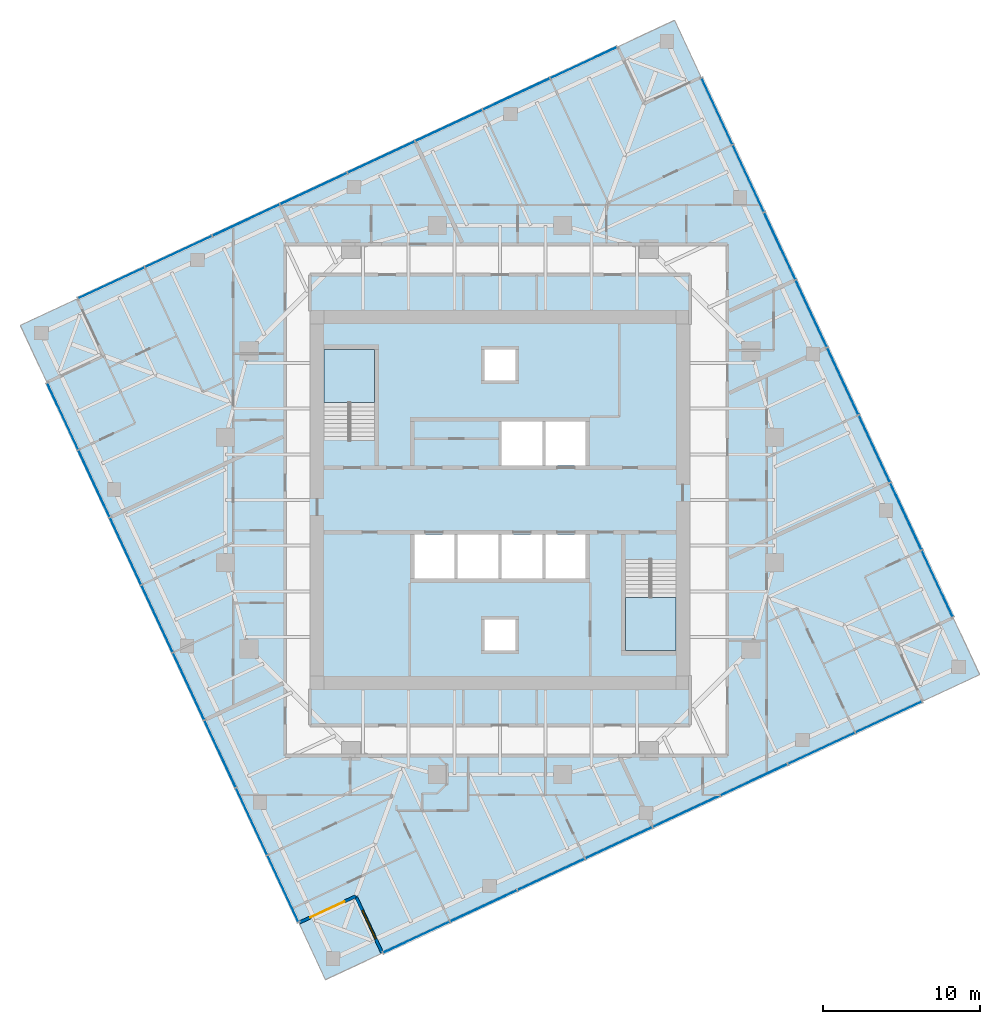
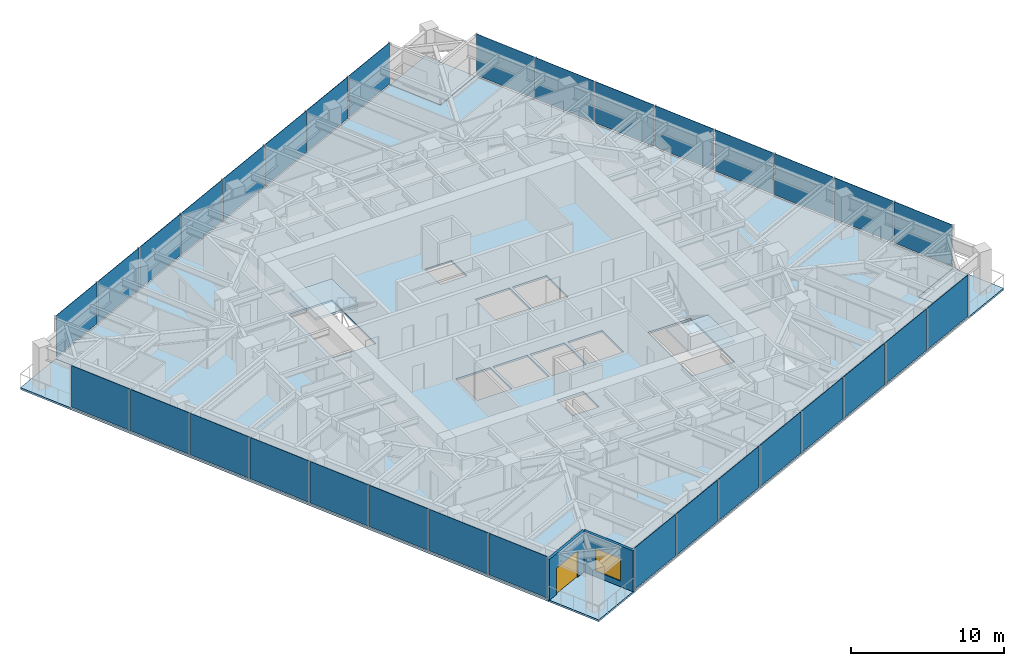
# One storey, part 6 of 13: 32 plates, 7 slabs, 2 walls, 1 door, 1 window, 2 openings, 6 elements without a shape of their own.
"""IFC4 building model written with IfcOpenShell, lengths in metres."""

import ifcopenshell
import ifcopenshell.guid

model = None  # the IFC model being written
_history = None  # IfcOwnerHistory: only IFC2X3 demands one
_inside = {}  # id of a spatial element -> (the spatial element, [elements in it])
_under = {}  # id of a project, library or spatial element -> (it, [spatial elements below it])
_declared = {}  # id of a project -> (the project, [libraries it declares])
_typed = {}  # id of a type object -> (the type object, [elements of that type])
_made_of = {}  # id of a material, layer set ... -> (it, [elements and type objects made of it])


def new_model(schema):
    """Start an empty IFC model of exactly this schema.

    Asked for "IFC4X3", IfcOpenShell would pick the latest addendum, in which some entities
    have other attributes; the version numbers below select the first issue.
    IFC2X3 requires an IfcOwnerHistory on every rooted entity: one is made here for all.
    """
    global model, _history
    if schema == "IFC4X3":
        model = ifcopenshell.file(schema_version=(4, 3, 0, 0))
    else:
        model = ifcopenshell.file(schema=schema)
    _inside.clear()
    _under.clear()
    _declared.clear()
    _typed.clear()
    _made_of.clear()
    _history = None
    if model.schema == "IFC2X3":
        org = make("IfcOrganization", Name="unknown")
        user = make(
            "IfcPersonAndOrganization",
            ThePerson=make("IfcPerson", FamilyName="unknown"),
            TheOrganization=org,
        )
        app = make(
            "IfcApplication",
            ApplicationDeveloper=org,
            Version="unknown",
            ApplicationFullName="unknown",
            ApplicationIdentifier="unknown",
        )
        _history = make(
            "IfcOwnerHistory",
            OwningUser=user,
            OwningApplication=app,
            ChangeAction="ADDED",
            CreationDate=0,
        )
    return model


def make(cls, **values):
    """One entity of the class cls with the attributes given. An attribute that is None is left unset."""
    return model.create_entity(
        cls, **{name: value for name, value in values.items() if value is not None}
    )


def rooted(cls, **values):
    """An entity with a GlobalId (a new one), such as an element, a storey or a relation."""
    return make(cls, GlobalId=ifcopenshell.guid.new(), OwnerHistory=_history, **values)


def si_unit(unit_type, name, prefix=None):
    """IfcSIUnit, for example si_unit("LENGTHUNIT", "METRE", prefix="MILLI")."""
    return make("IfcSIUnit", UnitType=unit_type, Prefix=prefix, Name=name)


def assignment(units):
    """IfcUnitAssignment: the units of a project."""
    return None if units is None else make("IfcUnitAssignment", Units=units)


def point(xyz):
    """IfcCartesianPoint."""
    return None if xyz is None else make("IfcCartesianPoint", Coordinates=xyz)


def direction(xyz):
    """IfcDirection."""
    return None if xyz is None else make("IfcDirection", DirectionRatios=xyz)


def frame(location, z_axis=None, x_axis=None):
    """IfcAxis2Placement3D, a coordinate frame: its origin and axes. An axis left out is left unset."""
    return make(
        "IfcAxis2Placement3D",
        Location=point(location),
        Axis=direction(z_axis),
        RefDirection=direction(x_axis),
    )


def frame_2d(location, x_axis=None):
    """IfcAxis2Placement2D, a coordinate frame in the plane: its origin and x axis."""
    return make(
        "IfcAxis2Placement2D", Location=point(location), RefDirection=direction(x_axis)
    )


def origin():
    """The frame at (0, 0, 0) with its axes left unset."""
    return frame((0.0, 0.0, 0.0))


def origin_2d():
    """The frame at (0, 0) in the plane with its x axis left unset."""
    return frame_2d((0.0, 0.0))


def place(relative_to, where):
    """IfcLocalPlacement: puts the frame where relative to a parent placement (None: the world)."""
    return make(
        "IfcLocalPlacement", PlacementRelTo=relative_to, RelativePlacement=where
    )


def context(
    kind, dimensions, precision=None, world=None, true_north=None, identifier=None
):
    """IfcGeometricRepresentationContext, for example the 3D "Model" context."""
    return make(
        "IfcGeometricRepresentationContext",
        ContextIdentifier=identifier,
        ContextType=kind,
        CoordinateSpaceDimension=dimensions,
        Precision=precision,
        WorldCoordinateSystem=world,
        TrueNorth=true_north,
    )


def subcontext(parent, identifier, kind, view, scale=None):
    """IfcGeometricRepresentationSubContext, for example "Body" below "Model"."""
    return make(
        "IfcGeometricRepresentationSubContext",
        ContextIdentifier=identifier,
        ContextType=kind,
        ParentContext=parent,
        TargetScale=scale,
        TargetView=view,
    )


def project(units=None, contexts=None):
    """IfcProject with its units and contexts."""
    return rooted(
        "IfcProject",
        Name="project",
        RepresentationContexts=contexts,
        UnitsInContext=assignment(units),
    )


def spatial(cls, under=None, at=None, **own):
    """A site, building, storey or space (cls), placed at a placement, below another one or the project."""
    s = rooted(cls, ObjectPlacement=at, **own)
    if under is not None:
        _under.setdefault(under.id(), (under, []))[1].append(s)
    return s


def polyline(points):
    """IfcPolyline through the points."""
    return make("IfcPolyline", Points=[point(p) for p in points])


def profile(cls, at=None, kind="AREA", **sizes):
    """A parametric profile (cls). Its sizes go by their IFC names, for example OverallWidth=200.0."""
    return make(cls, ProfileType=kind, Position=at, **sizes)


def rectangle(**sizes):
    """IfcRectangleProfileDef."""
    return profile("IfcRectangleProfileDef", **sizes)


def outline(outer, holes=None, kind="AREA"):
    """IfcArbitraryClosedProfileDef: a profile drawn as a closed curve; with holes, ...WithVoids."""
    if holes is None:
        return make("IfcArbitraryClosedProfileDef", ProfileType=kind, OuterCurve=outer)
    return make(
        "IfcArbitraryProfileDefWithVoids",
        ProfileType=kind,
        OuterCurve=outer,
        InnerCurves=holes,
    )


def extrude(swept, where, along, depth):
    """IfcExtrudedAreaSolid: the profile swept, set in the frame where, extruded along a direction by depth."""
    return make(
        "IfcExtrudedAreaSolid",
        SweptArea=swept,
        Position=where,
        ExtrudedDirection=direction(along),
        Depth=depth,
    )


def shape(context_of_items, identifier, shape_type, items):
    """IfcShapeRepresentation: the items that make up one representation, for example the "Body"."""
    return make(
        "IfcShapeRepresentation",
        ContextOfItems=context_of_items,
        RepresentationIdentifier=identifier,
        RepresentationType=shape_type,
        Items=items,
    )


def material(Name=None, Category=None):
    """IfcMaterial."""
    return make("IfcMaterial", Name=Name, Category=Category)


def layer(
    of_material, thickness, ventilated=None, Name=None, Category=None, Priority=None
):
    """IfcMaterialLayer: one layer of a wall or slab, of a material (None: an air gap)."""
    return make(
        "IfcMaterialLayer",
        Material=of_material,
        LayerThickness=thickness,
        IsVentilated=ventilated,
        Name=Name,
        Category=Category,
        Priority=Priority,
    )


def layer_set(layers, Name=None):
    """IfcMaterialLayerSet."""
    return make("IfcMaterialLayerSet", MaterialLayers=layers, LayerSetName=Name)


def made_of(thing, what):
    """Note that an element or type object is made of a material, layer set ...; save() writes the relation."""
    if what is not None:
        _made_of.setdefault(what.id(), (what, []))[1].append(thing)
    return thing


def type_object(cls, material=None, **own):
    """A type object (cls), such as IfcWallType, which elements share."""
    return made_of(rooted(cls, **own), material)


def element(
    cls,
    number,
    at=None,
    inside=None,
    cuts=None,
    type_object=None,
    material=None,
    context=None,
    identifier="Body",
    shape_type=None,
    held_by="IfcProductDefinitionShape",
    body=None,
    shapes=None,
    **own,
):
    """One element of the class cls, such as IfcWall. Its Tag is "e" and its number.

    at: its placement. inside: the storey or other place that contains it. cuts: it is an
    opening in that element (IfcRelVoidsElement). A single representation is given by context,
    identifier, shape_type and body (its items); several are given by shapes. held_by: the class
    of the entity that holds the representations. save() writes the other relations.
    """
    e = rooted(cls, Tag="e%d" % number, ObjectPlacement=at, **own)
    if body is not None:
        shapes = [shape(context, identifier, shape_type, body)]
    if shapes is not None:
        e.Representation = make(held_by, Representations=shapes)
    if inside is not None:
        _inside.setdefault(inside.id(), (inside, []))[1].append(e)
    if cuts is not None:
        rooted(
            "IfcRelVoidsElement", RelatingBuildingElement=cuts, RelatedOpeningElement=e
        )
    if type_object is not None:
        _typed.setdefault(type_object.id(), (type_object, []))[1].append(e)
    return made_of(e, material)


def fill(opening, filler):
    """IfcRelFillsElement: the door or window that sits in an opening."""
    return rooted(
        "IfcRelFillsElement",
        RelatingOpeningElement=opening,
        RelatedBuildingElement=filler,
    )


def aggregate(whole, parts):
    """IfcRelAggregates: a whole, such as a stair, and the parts it consists of."""
    return rooted("IfcRelAggregates", RelatingObject=whole, RelatedObjects=parts)


def save(model, path):
    """Write the relations noted so far, then the file.

    IfcRelAggregates (storeys below a building ...), IfcRelContainedInSpatialStructure (elements
    in a storey), IfcRelDefinesByType, IfcRelAssociatesMaterial and IfcRelDeclares: one each for
    every whole, place, type object, material and project.
    """
    for whole, parts in _under.values():
        aggregate(whole, parts)
    for where, things in _inside.values():
        rooted(
            "IfcRelContainedInSpatialStructure",
            RelatedElements=things,
            RelatingStructure=where,
        )
    for kind, things in _typed.values():
        rooted("IfcRelDefinesByType", RelatedObjects=things, RelatingType=kind)
    for what, things in _made_of.values():
        rooted("IfcRelAssociatesMaterial", RelatedObjects=things, RelatingMaterial=what)
    for by, libraries in _declared.values():
        rooted("IfcRelDeclares", RelatingContext=by, RelatedDefinitions=libraries)
    model.write(path)


model = new_model("IFC4")

# Units and contexts
model_context = context("Model", 3, precision=1e-05, world=origin(), true_north=direction((0.0, 1.0)))
body_context = subcontext(model_context, "Body", "Model", "MODEL_VIEW")
ifc_project = project(units=[si_unit("LENGTHUNIT", "METRE"), si_unit("AREAUNIT", "SQUARE_METRE"), si_unit("VOLUMEUNIT", "CUBIC_METRE"), si_unit("PLANEANGLEUNIT", "RADIAN"), si_unit("MASSUNIT", "GRAM", prefix="KILO")], contexts=[model_context])

# Site, building, storey
site_placement = place(None, origin())
site = spatial("IfcSite", under=ifc_project, at=site_placement, CompositionType="ELEMENT")
building_placement = place(site_placement, origin())
building = spatial("IfcBuilding", under=site, at=building_placement, Name="Torsade Residences", CompositionType="ELEMENT")
storey_placement = place(building_placement, frame((0.0, 0.0, 176.0)))
storey = spatial("IfcBuildingStorey", under=building, at=storey_placement, Name="L48", CompositionType="ELEMENT", Elevation=176.0)

# Slab
ifc_material_1 = material(Name="Concrete 40 MPa", Category="concrete")
ifc_layer_1 = layer(ifc_material_1, 0.14990234375)
ifc_layer_set_1 = layer_set([ifc_layer_1], Name="Concrete 40 MPa")
slab_type_1 = type_object("IfcSlabType", Name="COMPOSITE FLOOR SLAB 150", PredefinedType="FLOOR", material=ifc_layer_set_1)
slab_1_placement = place(storey_placement, frame((0.0, 0.0, -0.14990234375)))
element("IfcSlab", 1, at=slab_1_placement, inside=storey, type_object=slab_type_1, Name="Floor slab L48", PredefinedType="FLOOR", context=body_context, shape_type="SweptSolid", body=[
    extrude(outline(polyline([(32.50048828125, 1.125244140625), (66.940185546875, 17.1845703125), (65.24951171875, 20.809814453125), (68.874755859375, 22.50048828125), (52.8154296875, 56.940185546875), (49.190185546875, 55.24951171875), (47.49951171875, 58.874755859375), (13.059814453125, 42.8154296875), (14.75048828125, 39.190185546875), (11.125244140625, 37.49951171875), (27.1845703125, 3.059814453125), (30.809814453125, 4.75048828125), (32.50048828125, 1.125244140625)]), holes=[polyline([(51.199951171875, 26.1201171875), (48.0, 26.1201171875), (48.0, 20.39990234375), (51.199951171875, 20.39990234375), (51.199951171875, 26.1201171875)]), polyline([(45.5, 27.800048828125), (42.89990234375, 27.800048828125), (42.89990234375, 25.0), (45.5, 25.0), (45.5, 27.800048828125)]), polyline([(45.5, 35.0), (42.89990234375, 35.0), (42.89990234375, 32.199951171875), (45.5, 32.199951171875), (45.5, 35.0)]), polyline([(42.699951171875, 25.0), (42.699951171875, 27.800048828125), (40.10009765625, 27.800048828125), (40.10009765625, 25.0), (42.699951171875, 25.0)]), polyline([(42.699951171875, 35.0), (40.10009765625, 35.0), (40.10009765625, 32.199951171875), (42.699951171875, 32.199951171875), (42.699951171875, 35.0)]), polyline([(41.0, 22.39990234375), (39.0, 22.39990234375), (39.0, 20.39990234375), (41.0, 20.39990234375), (41.0, 22.39990234375)]), polyline([(41.0, 37.60009765625), (41.0, 39.60009765625), (39.0, 39.60009765625), (39.0, 37.60009765625), (41.0, 37.60009765625)]), polyline([(39.89990234375, 25.0), (39.89990234375, 27.800048828125), (37.300048828125, 27.800048828125), (37.300048828125, 25.0), (39.89990234375, 25.0)]), polyline([(37.10009765625, 27.800048828125), (34.5, 27.800048828125), (34.5, 25.0), (37.10009765625, 25.0), (37.10009765625, 27.800048828125)]), polyline([(32.0, 33.8798828125), (32.0, 39.60009765625), (28.800048828125, 39.60009765625), (28.800048828125, 33.8798828125), (32.0, 33.8798828125)])]), origin(), (0.0, 0.0, 1.0), 0.14990234375),
])

# Curtain wall, plates
ifc_material_2 = material(Name="Aluminium and glass", Category="aluminium")
curtain_wall_type = type_object("IfcCurtainWallType", Name="FRITTED GLASS CURTAIN WALL MID ZONE", PredefinedType="NOTDEFINED", material=ifc_material_2)
curtain_wall_1_placement = place(storey_placement, origin())
curtain_wall_1 = element("IfcCurtainWall", 2, at=curtain_wall_1_placement, inside=storey, type_object=curtain_wall_type, Name="Curtain wall L48 face 1", PredefinedType="NOTDEFINED")
ifc_material_3 = material(Name="Laminated glass", Category="glass")
ifc_layer_2 = layer(ifc_material_3, 0.031982421875)
ifc_layer_set_2 = layer_set([ifc_layer_2], Name="Laminated glass")
plate_type_1 = type_object("IfcPlateType", Name="FRITTED GLASS PANEL", PredefinedType="CURTAIN_PANEL", material=ifc_layer_set_2)
plate_1_placement = place(storey_placement, frame((34.6708984375, 2.137451171875, 0.10986328125), z_axis=(0.0, 0.0, 1.0), x_axis=(0.906307786926, 0.422618261978, 0.0)))
plate_1 = element("IfcPlate", 3, at=plate_1_placement, type_object=plate_type_1, Name="Panel 1", PredefinedType="CURTAIN_PANEL", context=body_context, shape_type="SweptSolid", body=[
    extrude(rectangle(XDim=4.6298828125, YDim=0.031982421875, at=origin_2d()), origin(), (0.0, 0.0, 1.0), 3.2900390625),
])
plate_2_placement = place(storey_placement, frame((43.2626953125, 6.143798828125, 0.10986328125), z_axis=(0.0, 0.0, 1.0), x_axis=(0.906307786926, 0.422618261978, 0.0)))
plate_2 = element("IfcPlate", 4, at=plate_2_placement, type_object=plate_type_1, Name="Panel 3", PredefinedType="CURTAIN_PANEL", context=body_context, shape_type="SweptSolid", body=[
    extrude(rectangle(XDim=4.669921875, YDim=0.031982421875, at=origin_2d()), origin(), (0.0, 0.0, 1.0), 3.2900390625),
])
plate_3_placement = place(storey_placement, frame((47.567626953125, 8.151123046875, 0.10986328125), z_axis=(0.0, 0.0, 1.0), x_axis=(0.906307786926, 0.422618261978, 0.0)))
plate_3 = element("IfcPlate", 5, at=plate_3_placement, type_object=plate_type_1, Name="Panel 4", PredefinedType="CURTAIN_PANEL", context=body_context, shape_type="SweptSolid", body=[
    extrude(rectangle(XDim=4.669921875, YDim=0.031982421875, at=origin_2d()), origin(), (0.0, 0.0, 1.0), 3.2900390625),
])
plate_4_placement = place(storey_placement, frame((51.872802734375, 10.15869140625, 0.10986328125), z_axis=(0.0, 0.0, 1.0), x_axis=(0.906307786926, 0.422618261978, 0.0)))
plate_4 = element("IfcPlate", 6, at=plate_4_placement, type_object=plate_type_1, Name="Panel 5", PredefinedType="CURTAIN_PANEL", context=body_context, shape_type="SweptSolid", body=[
    extrude(rectangle(XDim=4.669921875, YDim=0.031982421875, at=origin_2d()), origin(), (0.0, 0.0, 1.0), 3.2900390625),
])
plate_5_placement = place(storey_placement, frame((60.482666015625, 14.173583984375, 0.10986328125), z_axis=(0.0, 0.0, 1.0), x_axis=(0.906307786926, 0.422618261978, 0.0)))
plate_5 = element("IfcPlate", 7, at=plate_5_placement, type_object=plate_type_1, Name="Panel 7", PredefinedType="CURTAIN_PANEL", context=body_context, shape_type="SweptSolid", body=[
    extrude(rectangle(XDim=4.669921875, YDim=0.031982421875, at=origin_2d()), origin(), (0.0, 0.0, 1.0), 3.2900390625),
])
plate_6_placement = place(storey_placement, frame((64.76953125, 16.172607421875, 0.10986328125), z_axis=(0.0, 0.0, 1.0), x_axis=(0.906307786926, 0.422618261978, 0.0)))
plate_6 = element("IfcPlate", 8, at=plate_6_placement, type_object=plate_type_1, Name="Panel 8", PredefinedType="CURTAIN_PANEL", context=body_context, shape_type="SweptSolid", body=[
    extrude(rectangle(XDim=4.6298828125, YDim=0.031982421875, at=origin_2d()), origin(), (0.0, 0.0, 1.0), 3.2900390625),
])

curtain_wall_2_placement = place(storey_placement, origin())
curtain_wall_2 = element("IfcCurtainWall", 9, at=curtain_wall_2_placement, inside=storey, type_object=curtain_wall_type, Name="Curtain wall L48 face 4", PredefinedType="NOTDEFINED")
plate_7_placement = place(storey_placement, frame((67.862548828125, 24.6708984375, 0.10986328125), z_axis=(0.0, 0.0, 1.0), x_axis=(-0.422618261978, 0.906307786926, 0.0)))
plate_7 = element("IfcPlate", 10, at=plate_7_placement, type_object=plate_type_1, Name="Panel 1", PredefinedType="CURTAIN_PANEL", context=body_context, shape_type="SweptSolid", body=[
    extrude(rectangle(XDim=4.6298828125, YDim=0.031982421875, at=origin_2d()), origin(), (0.0, 0.0, 1.0), 3.2900390625),
])
plate_8_placement = place(storey_placement, frame((63.856201171875, 33.2626953125, 0.10986328125), z_axis=(0.0, 0.0, 1.0), x_axis=(-0.422618261978, 0.906307786926, 0.0)))
plate_8 = element("IfcPlate", 11, at=plate_8_placement, type_object=plate_type_1, Name="Panel 3", PredefinedType="CURTAIN_PANEL", context=body_context, shape_type="SweptSolid", body=[
    extrude(rectangle(XDim=4.669921875, YDim=0.031982421875, at=origin_2d()), origin(), (0.0, 0.0, 1.0), 3.2900390625),
])
plate_9_placement = place(storey_placement, frame((61.848876953125, 37.567626953125, 0.10986328125), z_axis=(0.0, 0.0, 1.0), x_axis=(-0.422618261978, 0.906307786926, 0.0)))
plate_9 = element("IfcPlate", 12, at=plate_9_placement, type_object=plate_type_1, Name="Panel 4", PredefinedType="CURTAIN_PANEL", context=body_context, shape_type="SweptSolid", body=[
    extrude(rectangle(XDim=4.669921875, YDim=0.031982421875, at=origin_2d()), origin(), (0.0, 0.0, 1.0), 3.2900390625),
])
plate_10_placement = place(storey_placement, frame((59.84130859375, 41.872802734375, 0.10986328125), z_axis=(0.0, 0.0, 1.0), x_axis=(-0.422618261978, 0.906307786926, 0.0)))
plate_10 = element("IfcPlate", 13, at=plate_10_placement, type_object=plate_type_1, Name="Panel 5", PredefinedType="CURTAIN_PANEL", context=body_context, shape_type="SweptSolid", body=[
    extrude(rectangle(XDim=4.669921875, YDim=0.031982421875, at=origin_2d()), origin(), (0.0, 0.0, 1.0), 3.2900390625),
])
plate_11_placement = place(storey_placement, frame((55.826416015625, 50.482666015625, 0.10986328125), z_axis=(0.0, 0.0, 1.0), x_axis=(-0.422618261978, 0.906307786926, 0.0)))
plate_11 = element("IfcPlate", 14, at=plate_11_placement, type_object=plate_type_1, Name="Panel 7", PredefinedType="CURTAIN_PANEL", context=body_context, shape_type="SweptSolid", body=[
    extrude(rectangle(XDim=4.669921875, YDim=0.031982421875, at=origin_2d()), origin(), (0.0, 0.0, 1.0), 3.2900390625),
])
plate_12_placement = place(storey_placement, frame((53.827392578125, 54.76953125, 0.10986328125), z_axis=(0.0, 0.0, 1.0), x_axis=(-0.422618261978, 0.906307786926, 0.0)))
plate_12 = element("IfcPlate", 15, at=plate_12_placement, type_object=plate_type_1, Name="Panel 8", PredefinedType="CURTAIN_PANEL", context=body_context, shape_type="SweptSolid", body=[
    extrude(rectangle(XDim=4.6298828125, YDim=0.031982421875, at=origin_2d()), origin(), (0.0, 0.0, 1.0), 3.2900390625),
])

curtain_wall_3_placement = place(storey_placement, origin())
curtain_wall_3 = element("IfcCurtainWall", 16, at=curtain_wall_3_placement, inside=storey, type_object=curtain_wall_type, Name="Curtain wall L48 face 7", PredefinedType="NOTDEFINED")
plate_13_placement = place(storey_placement, frame((45.3291015625, 57.862548828125, 0.10986328125), z_axis=(0.0, 0.0, 1.0), x_axis=(-0.906307786926, -0.422618261978, 0.0)))
plate_13 = element("IfcPlate", 17, at=plate_13_placement, type_object=plate_type_1, Name="Panel 1", PredefinedType="CURTAIN_PANEL", context=body_context, shape_type="SweptSolid", body=[
    extrude(rectangle(XDim=4.6298828125, YDim=0.031982421875, at=origin_2d()), origin(), (0.0, 0.0, 1.0), 3.2900390625),
])
plate_14_placement = place(storey_placement, frame((36.7373046875, 53.856201171875, 0.10986328125), z_axis=(0.0, 0.0, 1.0), x_axis=(-0.906307786926, -0.422618261978, 0.0)))
plate_14 = element("IfcPlate", 18, at=plate_14_placement, type_object=plate_type_1, Name="Panel 3", PredefinedType="CURTAIN_PANEL", context=body_context, shape_type="SweptSolid", body=[
    extrude(rectangle(XDim=4.669921875, YDim=0.031982421875, at=origin_2d()), origin(), (0.0, 0.0, 1.0), 3.2900390625),
])
plate_15_placement = place(storey_placement, frame((32.432373046875, 51.848876953125, 0.10986328125), z_axis=(0.0, 0.0, 1.0), x_axis=(-0.906307786926, -0.422618261978, 0.0)))
plate_15 = element("IfcPlate", 19, at=plate_15_placement, type_object=plate_type_1, Name="Panel 4", PredefinedType="CURTAIN_PANEL", context=body_context, shape_type="SweptSolid", body=[
    extrude(rectangle(XDim=4.669921875, YDim=0.031982421875, at=origin_2d()), origin(), (0.0, 0.0, 1.0), 3.2900390625),
])
plate_16_placement = place(storey_placement, frame((28.127197265625, 49.84130859375, 0.10986328125), z_axis=(0.0, 0.0, 1.0), x_axis=(-0.906307786926, -0.422618261978, 0.0)))
plate_16 = element("IfcPlate", 20, at=plate_16_placement, type_object=plate_type_1, Name="Panel 5", PredefinedType="CURTAIN_PANEL", context=body_context, shape_type="SweptSolid", body=[
    extrude(rectangle(XDim=4.669921875, YDim=0.031982421875, at=origin_2d()), origin(), (0.0, 0.0, 1.0), 3.2900390625),
])
plate_17_placement = place(storey_placement, frame((19.517333984375, 45.826416015625, 0.10986328125), z_axis=(0.0, 0.0, 1.0), x_axis=(-0.906307786926, -0.422618261978, 0.0)))
plate_17 = element("IfcPlate", 21, at=plate_17_placement, type_object=plate_type_1, Name="Panel 7", PredefinedType="CURTAIN_PANEL", context=body_context, shape_type="SweptSolid", body=[
    extrude(rectangle(XDim=4.669921875, YDim=0.031982421875, at=origin_2d()), origin(), (0.0, 0.0, 1.0), 3.2900390625),
])
plate_18_placement = place(storey_placement, frame((15.23046875, 43.827392578125, 0.10986328125), z_axis=(0.0, 0.0, 1.0), x_axis=(-0.906307786926, -0.422618261978, 0.0)))
plate_18 = element("IfcPlate", 22, at=plate_18_placement, type_object=plate_type_1, Name="Panel 8", PredefinedType="CURTAIN_PANEL", context=body_context, shape_type="SweptSolid", body=[
    extrude(rectangle(XDim=4.6298828125, YDim=0.031982421875, at=origin_2d()), origin(), (0.0, 0.0, 1.0), 3.2900390625),
])

curtain_wall_4_placement = place(storey_placement, origin())
curtain_wall_4 = element("IfcCurtainWall", 23, at=curtain_wall_4_placement, inside=storey, type_object=curtain_wall_type, Name="Curtain wall L48 face 10", PredefinedType="NOTDEFINED")
plate_19_placement = place(storey_placement, frame((12.137451171875, 35.3291015625, 0.10986328125), z_axis=(0.0, 0.0, 1.0), x_axis=(0.422618261978, -0.906307786926, 0.0)))
plate_19 = element("IfcPlate", 24, at=plate_19_placement, type_object=plate_type_1, Name="Panel 1", PredefinedType="CURTAIN_PANEL", context=body_context, shape_type="SweptSolid", body=[
    extrude(rectangle(XDim=4.6298828125, YDim=0.031982421875, at=origin_2d()), origin(), (0.0, 0.0, 1.0), 3.2900390625),
])
plate_20_placement = place(storey_placement, frame((16.143798828125, 26.7373046875, 0.10986328125), z_axis=(0.0, 0.0, 1.0), x_axis=(0.422618261978, -0.906307786926, 0.0)))
plate_20 = element("IfcPlate", 25, at=plate_20_placement, type_object=plate_type_1, Name="Panel 3", PredefinedType="CURTAIN_PANEL", context=body_context, shape_type="SweptSolid", body=[
    extrude(rectangle(XDim=4.669921875, YDim=0.031982421875, at=origin_2d()), origin(), (0.0, 0.0, 1.0), 3.2900390625),
])
plate_21_placement = place(storey_placement, frame((18.151123046875, 22.432373046875, 0.10986328125), z_axis=(0.0, 0.0, 1.0), x_axis=(0.422618261978, -0.906307786926, 0.0)))
plate_21 = element("IfcPlate", 26, at=plate_21_placement, type_object=plate_type_1, Name="Panel 4", PredefinedType="CURTAIN_PANEL", context=body_context, shape_type="SweptSolid", body=[
    extrude(rectangle(XDim=4.669921875, YDim=0.031982421875, at=origin_2d()), origin(), (0.0, 0.0, 1.0), 3.2900390625),
])
plate_22_placement = place(storey_placement, frame((20.15869140625, 18.127197265625, 0.10986328125), z_axis=(0.0, 0.0, 1.0), x_axis=(0.422618261978, -0.906307786926, 0.0)))
plate_22 = element("IfcPlate", 27, at=plate_22_placement, type_object=plate_type_1, Name="Panel 5", PredefinedType="CURTAIN_PANEL", context=body_context, shape_type="SweptSolid", body=[
    extrude(rectangle(XDim=4.669921875, YDim=0.031982421875, at=origin_2d()), origin(), (0.0, 0.0, 1.0), 3.2900390625),
])
plate_23_placement = place(storey_placement, frame((24.173583984375, 9.517333984375, 0.10986328125), z_axis=(0.0, 0.0, 1.0), x_axis=(0.422618261978, -0.906307786926, 0.0)))
plate_23 = element("IfcPlate", 28, at=plate_23_placement, type_object=plate_type_1, Name="Panel 7", PredefinedType="CURTAIN_PANEL", context=body_context, shape_type="SweptSolid", body=[
    extrude(rectangle(XDim=4.669921875, YDim=0.031982421875, at=origin_2d()), origin(), (0.0, 0.0, 1.0), 3.2900390625),
])
plate_24_placement = place(storey_placement, frame((26.172607421875, 5.23046875, 0.10986328125), z_axis=(0.0, 0.0, 1.0), x_axis=(0.422618261978, -0.906307786926, 0.0)))
plate_24 = element("IfcPlate", 29, at=plate_24_placement, type_object=plate_type_1, Name="Panel 8", PredefinedType="CURTAIN_PANEL", context=body_context, shape_type="SweptSolid", body=[
    extrude(rectangle(XDim=4.6298828125, YDim=0.031982421875, at=origin_2d()), origin(), (0.0, 0.0, 1.0), 3.2900390625),
])

# Plate
ifc_material_4 = material(Name="Laminated glass", Category="glass")
ifc_layer_3 = layer(ifc_material_4, 0.0400390625)
ifc_layer_set_3 = layer_set([ifc_layer_3], Name="Laminated glass")
plate_type_2 = type_object("IfcPlateType", Name="OPERABLE VENT PANEL", PredefinedType="CURTAIN_PANEL", material=ifc_layer_set_3)
plate_25_placement = place(storey_placement, frame((38.957763671875, 4.13623046875, 0.10986328125), z_axis=(0.0, 0.0, 1.0), x_axis=(0.906307786926, 0.422618261978, 0.0)))
plate_25 = element("IfcPlate", 30, at=plate_25_placement, type_object=plate_type_2, Name="Panel 2", PredefinedType="CURTAIN_PANEL", context=body_context, shape_type="SweptSolid", body=[
    extrude(rectangle(XDim=4.669921875, YDim=0.0400390625, at=origin_2d()), origin(), (0.0, 0.0, 1.0), 3.2900390625),
])

plate_26_placement = place(storey_placement, frame((56.177734375, 12.166015625, 0.10986328125), z_axis=(0.0, 0.0, 1.0), x_axis=(0.906307786926, 0.422618261978, 0.0)))
plate_26 = element("IfcPlate", 31, at=plate_26_placement, type_object=plate_type_2, Name="Panel 6", PredefinedType="CURTAIN_PANEL", context=body_context, shape_type="SweptSolid", body=[
    extrude(rectangle(XDim=4.669921875, YDim=0.0400390625, at=origin_2d()), origin(), (0.0, 0.0, 1.0), 3.2900390625),
])

aggregate(curtain_wall_1, [plate_1, plate_25, plate_2, plate_3, plate_4, plate_26, plate_5, plate_6])

plate_27_placement = place(storey_placement, frame((65.86376953125, 28.957763671875, 0.10986328125), z_axis=(0.0, 0.0, 1.0), x_axis=(-0.422618261978, 0.906307786926, 0.0)))
plate_27 = element("IfcPlate", 32, at=plate_27_placement, type_object=plate_type_2, Name="Panel 2", PredefinedType="CURTAIN_PANEL", context=body_context, shape_type="SweptSolid", body=[
    extrude(rectangle(XDim=4.669921875, YDim=0.0400390625, at=origin_2d()), origin(), (0.0, 0.0, 1.0), 3.2900390625),
])

plate_28_placement = place(storey_placement, frame((57.833984375, 46.177734375, 0.10986328125), z_axis=(0.0, 0.0, 1.0), x_axis=(-0.422618261978, 0.906307786926, 0.0)))
plate_28 = element("IfcPlate", 33, at=plate_28_placement, type_object=plate_type_2, Name="Panel 6", PredefinedType="CURTAIN_PANEL", context=body_context, shape_type="SweptSolid", body=[
    extrude(rectangle(XDim=4.669921875, YDim=0.0400390625, at=origin_2d()), origin(), (0.0, 0.0, 1.0), 3.2900390625),
])

aggregate(curtain_wall_2, [plate_7, plate_27, plate_8, plate_9, plate_10, plate_28, plate_11, plate_12])

plate_29_placement = place(storey_placement, frame((41.042236328125, 55.86376953125, 0.10986328125), z_axis=(0.0, 0.0, 1.0), x_axis=(-0.906307786926, -0.422618261978, 0.0)))
plate_29 = element("IfcPlate", 34, at=plate_29_placement, type_object=plate_type_2, Name="Panel 2", PredefinedType="CURTAIN_PANEL", context=body_context, shape_type="SweptSolid", body=[
    extrude(rectangle(XDim=4.669921875, YDim=0.0400390625, at=origin_2d()), origin(), (0.0, 0.0, 1.0), 3.2900390625),
])

plate_30_placement = place(storey_placement, frame((23.822265625, 47.833984375, 0.10986328125), z_axis=(0.0, 0.0, 1.0), x_axis=(-0.906307786926, -0.422618261978, 0.0)))
plate_30 = element("IfcPlate", 35, at=plate_30_placement, type_object=plate_type_2, Name="Panel 6", PredefinedType="CURTAIN_PANEL", context=body_context, shape_type="SweptSolid", body=[
    extrude(rectangle(XDim=4.669921875, YDim=0.0400390625, at=origin_2d()), origin(), (0.0, 0.0, 1.0), 3.2900390625),
])

aggregate(curtain_wall_3, [plate_13, plate_29, plate_14, plate_15, plate_16, plate_30, plate_17, plate_18])

plate_31_placement = place(storey_placement, frame((14.13623046875, 31.042236328125, 0.10986328125), z_axis=(0.0, 0.0, 1.0), x_axis=(0.422618261978, -0.906307786926, 0.0)))
plate_31 = element("IfcPlate", 36, at=plate_31_placement, type_object=plate_type_2, Name="Panel 2", PredefinedType="CURTAIN_PANEL", context=body_context, shape_type="SweptSolid", body=[
    extrude(rectangle(XDim=4.669921875, YDim=0.0400390625, at=origin_2d()), origin(), (0.0, 0.0, 1.0), 3.2900390625),
])

plate_32_placement = place(storey_placement, frame((22.166015625, 13.822265625, 0.10986328125), z_axis=(0.0, 0.0, 1.0), x_axis=(0.422618261978, -0.906307786926, 0.0)))
plate_32 = element("IfcPlate", 37, at=plate_32_placement, type_object=plate_type_2, Name="Panel 6", PredefinedType="CURTAIN_PANEL", context=body_context, shape_type="SweptSolid", body=[
    extrude(rectangle(XDim=4.669921875, YDim=0.0400390625, at=origin_2d()), origin(), (0.0, 0.0, 1.0), 3.2900390625),
])

aggregate(curtain_wall_4, [plate_19, plate_31, plate_20, plate_21, plate_22, plate_32, plate_23, plate_24])

# Stair, slab
ifc_material_5 = material(Name="Precast concrete 40 MPa", Category="concrete")
stair_type = type_object("IfcStairType", Name="HALF-TURN FIRE STAIR 1500x3400", PredefinedType="HALF_TURN_STAIR", material=ifc_material_5)
stair_1_placement = place(storey_placement, origin())
stair_1 = element("IfcStair", 38, at=stair_1_placement, inside=storey, type_object=stair_type, Name="Stair ST1 L48", PredefinedType="HALF_TURN_STAIR")
ifc_material_6 = material(Name="Precast concrete 40 MPa", Category="concrete")
ifc_layer_4 = layer(ifc_material_6, 0.179931640625)
ifc_layer_set_4 = layer_set([ifc_layer_4], Name="Precast concrete 40 MPa")
slab_type_2 = type_object("IfcSlabType", Name="PRECAST STAIR LANDING 180", PredefinedType="LANDING", material=ifc_layer_set_4)
slab_2_placement = place(storey_placement, frame((0.0, 0.0, 1.52001953125)))
slab_2 = element("IfcSlab", 39, at=slab_2_placement, type_object=slab_type_2, Name="ST1 landing 1", PredefinedType="LANDING", context=body_context, shape_type="SweptSolid", body=[
    extrude(outline(polyline([(28.800048828125, 36.2099609375), (32.0, 36.2099609375), (32.0, 39.60009765625), (28.800048828125, 39.60009765625), (28.800048828125, 36.2099609375)])), origin(), (0.0, 0.0, 1.0), 0.179931640625),
])
aggregate(stair_1, [slab_2])

stair_2_placement = place(storey_placement, origin())
stair_2 = element("IfcStair", 40, at=stair_2_placement, inside=storey, type_object=stair_type, Name="Stair ST2 L48", PredefinedType="HALF_TURN_STAIR")
slab_3_placement = place(storey_placement, frame((0.0, 0.0, 1.52001953125)))
slab_3 = element("IfcSlab", 41, at=slab_3_placement, type_object=slab_type_2, Name="ST2 landing 1", PredefinedType="LANDING", context=body_context, shape_type="SweptSolid", body=[
    extrude(outline(polyline([(48.0, 20.39990234375), (51.199951171875, 20.39990234375), (51.199951171875, 23.7900390625), (48.0, 23.7900390625), (48.0, 20.39990234375)])), origin(), (0.0, 0.0, 1.0), 0.179931640625),
])
aggregate(stair_2, [slab_3])

# Slabs
ifc_material_7 = material(Name="Concrete 40 MPa", Category="concrete")
ifc_layer_5 = layer(ifc_material_7, 0.14990234375)
ifc_layer_set_5 = layer_set([ifc_layer_5], Name="Concrete 40 MPa")
slab_type_3 = type_object("IfcSlabType", Name="TERRACE SLAB 150", PredefinedType="FLOOR", material=ifc_layer_set_5)
slab_4_placement = place(storey_placement, frame((0.0, 0.0, -0.14990234375)))
element("IfcSlab", 42, at=slab_4_placement, inside=storey, type_object=slab_type_3, Name="Corner terrace slab SE L48", PredefinedType="FLOOR", context=body_context, shape_type="SweptSolid", body=[
    extrude(outline(polyline([(66.940185546875, 17.1845703125), (70.565185546875, 18.875244140625), (68.874755859375, 22.50048828125), (65.24951171875, 20.809814453125), (66.940185546875, 17.1845703125)])), origin(), (0.0, 0.0, 1.0), 0.14990234375),
])
slab_5_placement = place(storey_placement, frame((0.0, 0.0, -0.14990234375)))
element("IfcSlab", 43, at=slab_5_placement, inside=storey, type_object=slab_type_3, Name="Corner terrace slab NE L48", PredefinedType="FLOOR", context=body_context, shape_type="SweptSolid", body=[
    extrude(outline(polyline([(49.190185546875, 55.24951171875), (52.8154296875, 56.940185546875), (51.124755859375, 60.565185546875), (47.49951171875, 58.874755859375), (49.190185546875, 55.24951171875)])), origin(), (0.0, 0.0, 1.0), 0.14990234375),
])
slab_6_placement = place(storey_placement, frame((0.0, 0.0, -0.14990234375)))
element("IfcSlab", 44, at=slab_6_placement, inside=storey, type_object=slab_type_3, Name="Corner terrace slab NW L48", PredefinedType="FLOOR", context=body_context, shape_type="SweptSolid", body=[
    extrude(outline(polyline([(11.125244140625, 37.49951171875), (14.75048828125, 39.190185546875), (13.059814453125, 42.8154296875), (9.434814453125, 41.124755859375), (11.125244140625, 37.49951171875)])), origin(), (0.0, 0.0, 1.0), 0.14990234375),
])
slab_7_placement = place(storey_placement, frame((0.0, 0.0, -0.14990234375)))
element("IfcSlab", 45, at=slab_7_placement, inside=storey, type_object=slab_type_3, Name="Corner terrace slab SW L48", PredefinedType="FLOOR", context=body_context, shape_type="SweptSolid", body=[
    extrude(outline(polyline([(28.875244140625, -0.565185546875), (32.50048828125, 1.125244140625), (30.809814453125, 4.75048828125), (27.1845703125, 3.059814453125), (28.875244140625, -0.565185546875)])), origin(), (0.0, 0.0, 1.0), 0.14990234375),
])

# Wall, opening, door
ifc_material_8 = material(Name="Stone-faced precast concrete 40 MPa panel", Category="masonry")
ifc_layer_6 = layer(ifc_material_8, 0.199951171875)
ifc_layer_set_6 = layer_set([ifc_layer_6], Name="Stone-faced precast concrete 40 MPa panel")
wall_type = type_object("IfcWallType", Name="TERRACE WALL 200", PredefinedType="SOLIDWALL", material=ifc_layer_set_6)
wall_1_placement = place(storey_placement, frame((27.1845703125, 3.059814453125, 0.0), z_axis=(0.0, 0.0, 1.0), x_axis=(0.906289140828, 0.422658246362, 0.0)))
wall_1 = element("IfcWall", 46, at=wall_1_placement, inside=storey, type_object=wall_type, Name="Terrace wall L48 11", PredefinedType="SOLIDWALL", context=body_context, shape_type="SweptSolid", body=[
    extrude(rectangle(XDim=4.0, YDim=0.199951171875, at=frame_2d((2.0, 0.0))), origin(), (0.0, 0.0, 1.0), 3.25),
])
opening_1_placement = place(wall_1_placement, frame((0.800048828125, 0.0, 0.0)))
opening_1 = element("IfcOpeningElement", 47, at=opening_1_placement, cuts=wall_1, Name="Opening D10A", PredefinedType="OPENING", context=body_context, shape_type="SweptSolid", body=[
    extrude(rectangle(XDim=2.39990234375, YDim=2.10009765625, at=frame_2d((1.199951171875, 1.050048828125))), frame((0.0, 0.10986328125, 0.0), z_axis=(0.0, -1.0, 0.0), x_axis=(1.0, 0.0, 0.0)), (0.0, 0.0, 1.0), 0.219970703125),
])
ifc_material_9 = material(Name="Aluminium-framed glass door", Category="aluminium")
door_type = type_object("IfcDoorType", Name="TERRACE SLIDING DOOR 2400x2100", OperationType="SLIDING_TO_LEFT", PredefinedType="DOOR", material=ifc_material_9)
door_placement = place(opening_1_placement, origin())
door = element("IfcDoor", 48, at=door_placement, inside=storey, type_object=door_type, Name="Terrace door L48 11", OperationType="SLIDING_TO_LEFT", OverallHeight=2.10009765625, OverallWidth=2.39990234375, PredefinedType="DOOR", context=body_context, shape_type="SweptSolid", body=[
    extrude(rectangle(XDim=2.39990234375, YDim=2.10009765625, at=frame_2d((1.199951171875, 1.050048828125))), frame((0.0, 0.02490234375, 0.0), z_axis=(0.0, -1.0, 0.0), x_axis=(1.0, 0.0, 0.0)), (0.0, 0.0, 1.0), 0.050048828125),
])
fill(opening_1, door)

# Wall, opening, window
wall_2_placement = place(storey_placement, frame((30.809814453125, 4.75048828125, 0.0), z_axis=(0.0, 0.0, 1.0), x_axis=(0.422658246362, -0.906289140828, 0.0)))
wall_2 = element("IfcWall", 49, at=wall_2_placement, inside=storey, type_object=wall_type, Name="Terrace wall L48 12", PredefinedType="SOLIDWALL", context=body_context, shape_type="SweptSolid", body=[
    extrude(rectangle(XDim=4.0, YDim=0.199951171875, at=frame_2d((2.0, 0.0))), origin(), (0.0, 0.0, 1.0), 3.25),
])
opening_2_placement = place(wall_2_placement, frame((1.0, 0.0, 0.449951171875)))
opening_2 = element("IfcOpeningElement", 50, at=opening_2_placement, cuts=wall_2, Name="Opening W1B", PredefinedType="OPENING", context=body_context, shape_type="SweptSolid", body=[
    extrude(rectangle(XDim=2.0, YDim=1.800048828125, at=frame_2d((1.0, 0.89990234375))), frame((0.0, 0.10986328125, 0.0), z_axis=(0.0, -1.0, 0.0), x_axis=(1.0, 0.0, 0.0)), (0.0, 0.0, 1.0), 0.219970703125),
])
ifc_material_10 = material(Name="Aluminium-framed glass window", Category="aluminium")
window_type = type_object("IfcWindowType", Name="TERRACE WINDOW 2000x1800", PartitioningType="SINGLE_PANEL", PredefinedType="WINDOW", material=ifc_material_10)
window_placement = place(opening_2_placement, origin())
window = element("IfcWindow", 51, at=window_placement, inside=storey, type_object=window_type, Name="Terrace window L48 12", OverallHeight=1.800048828125, OverallWidth=2.0, PartitioningType="SINGLE_PANEL", PredefinedType="WINDOW", context=body_context, shape_type="SweptSolid", body=[
    extrude(rectangle(XDim=2.0, YDim=1.800048828125, at=frame_2d((1.0, 0.89990234375))), frame((0.0, 0.030029296875, 0.0), z_axis=(0.0, -1.0, 0.0), x_axis=(1.0, 0.0, 0.0)), (0.0, 0.0, 1.0), 0.06005859375),
])
fill(opening_2, window)

save(model, "model.ifc")
